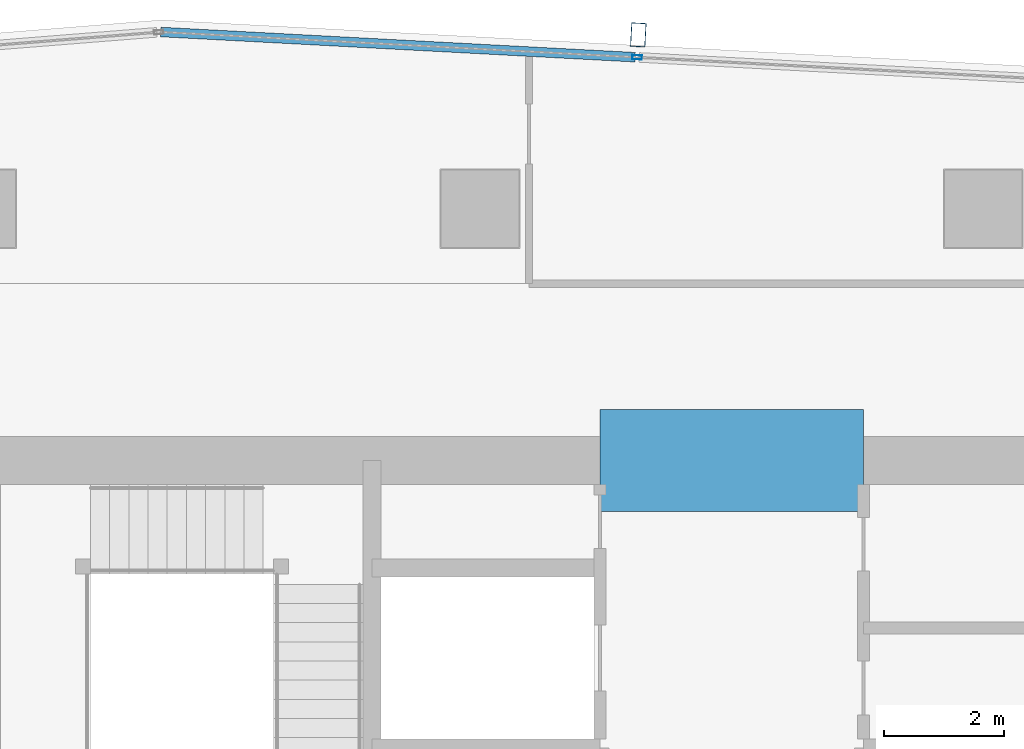
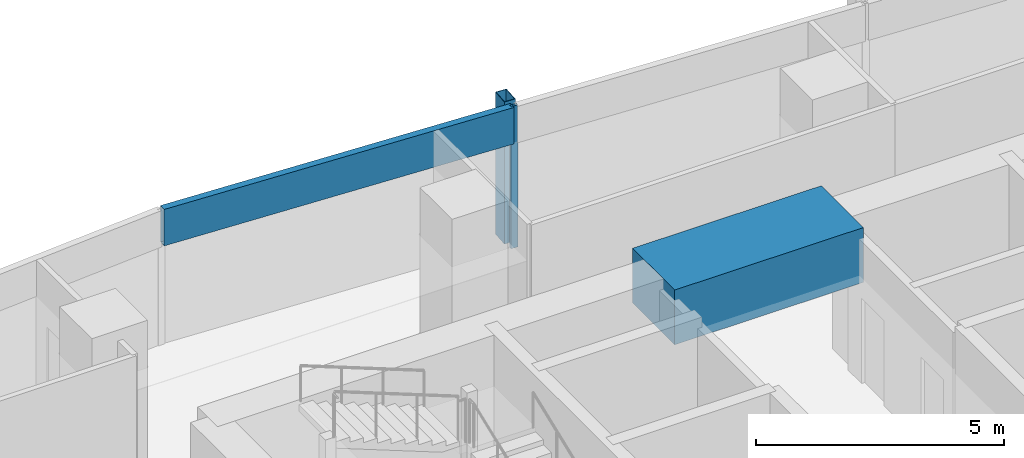
# One storey, part 14 of 26: 3 members, 1 beam, 1 element without a shape of its own.
"""IFC4 building model written with IfcOpenShell, lengths in metres."""

import ifcopenshell
import ifcopenshell.guid

model = None  # the IFC model being written
_history = None  # IfcOwnerHistory: only IFC2X3 demands one
_inside = {}  # id of a spatial element -> (the spatial element, [elements in it])
_under = {}  # id of a project, library or spatial element -> (it, [spatial elements below it])
_declared = {}  # id of a project -> (the project, [libraries it declares])
_typed = {}  # id of a type object -> (the type object, [elements of that type])
_made_of = {}  # id of a material, layer set ... -> (it, [elements and type objects made of it])


def new_model(schema):
    """Start an empty IFC model of exactly this schema.

    Asked for "IFC4X3", IfcOpenShell would pick the latest addendum, in which some entities
    have other attributes; the version numbers below select the first issue.
    IFC2X3 requires an IfcOwnerHistory on every rooted entity: one is made here for all.
    """
    global model, _history
    if schema == "IFC4X3":
        model = ifcopenshell.file(schema_version=(4, 3, 0, 0))
    else:
        model = ifcopenshell.file(schema=schema)
    _inside.clear()
    _under.clear()
    _declared.clear()
    _typed.clear()
    _made_of.clear()
    _history = None
    if model.schema == "IFC2X3":
        org = make("IfcOrganization", Name="unknown")
        user = make(
            "IfcPersonAndOrganization",
            ThePerson=make("IfcPerson", FamilyName="unknown"),
            TheOrganization=org,
        )
        app = make(
            "IfcApplication",
            ApplicationDeveloper=org,
            Version="unknown",
            ApplicationFullName="unknown",
            ApplicationIdentifier="unknown",
        )
        _history = make(
            "IfcOwnerHistory",
            OwningUser=user,
            OwningApplication=app,
            ChangeAction="ADDED",
            CreationDate=0,
        )
    return model


def make(cls, **values):
    """One entity of the class cls with the attributes given. An attribute that is None is left unset."""
    return model.create_entity(
        cls, **{name: value for name, value in values.items() if value is not None}
    )


def rooted(cls, **values):
    """An entity with a GlobalId (a new one), such as an element, a storey or a relation."""
    return make(cls, GlobalId=ifcopenshell.guid.new(), OwnerHistory=_history, **values)


def si_unit(unit_type, name, prefix=None):
    """IfcSIUnit, for example si_unit("LENGTHUNIT", "METRE", prefix="MILLI")."""
    return make("IfcSIUnit", UnitType=unit_type, Prefix=prefix, Name=name)


def assignment(units):
    """IfcUnitAssignment: the units of a project."""
    return None if units is None else make("IfcUnitAssignment", Units=units)


def point(xyz):
    """IfcCartesianPoint."""
    return None if xyz is None else make("IfcCartesianPoint", Coordinates=xyz)


def direction(xyz):
    """IfcDirection."""
    return None if xyz is None else make("IfcDirection", DirectionRatios=xyz)


def frame(location, z_axis=None, x_axis=None):
    """IfcAxis2Placement3D, a coordinate frame: its origin and axes. An axis left out is left unset."""
    return make(
        "IfcAxis2Placement3D",
        Location=point(location),
        Axis=direction(z_axis),
        RefDirection=direction(x_axis),
    )


def frame_2d(location, x_axis=None):
    """IfcAxis2Placement2D, a coordinate frame in the plane: its origin and x axis."""
    return make(
        "IfcAxis2Placement2D", Location=point(location), RefDirection=direction(x_axis)
    )


def origin():
    """The frame at (0, 0, 0) with its axes left unset."""
    return frame((0.0, 0.0, 0.0))


def origin_2d():
    """The frame at (0, 0) in the plane with its x axis left unset."""
    return frame_2d((0.0, 0.0))


def place(relative_to, where):
    """IfcLocalPlacement: puts the frame where relative to a parent placement (None: the world)."""
    return make(
        "IfcLocalPlacement", PlacementRelTo=relative_to, RelativePlacement=where
    )


def context(
    kind, dimensions, precision=None, world=None, true_north=None, identifier=None
):
    """IfcGeometricRepresentationContext, for example the 3D "Model" context."""
    return make(
        "IfcGeometricRepresentationContext",
        ContextIdentifier=identifier,
        ContextType=kind,
        CoordinateSpaceDimension=dimensions,
        Precision=precision,
        WorldCoordinateSystem=world,
        TrueNorth=true_north,
    )


def subcontext(parent, identifier, kind, view, scale=None):
    """IfcGeometricRepresentationSubContext, for example "Body" below "Model"."""
    return make(
        "IfcGeometricRepresentationSubContext",
        ContextIdentifier=identifier,
        ContextType=kind,
        ParentContext=parent,
        TargetScale=scale,
        TargetView=view,
    )


def project(units=None, contexts=None):
    """IfcProject with its units and contexts."""
    return rooted(
        "IfcProject",
        Name="project",
        RepresentationContexts=contexts,
        UnitsInContext=assignment(units),
    )


def spatial(cls, under=None, at=None, **own):
    """A site, building, storey or space (cls), placed at a placement, below another one or the project."""
    s = rooted(cls, ObjectPlacement=at, **own)
    if under is not None:
        _under.setdefault(under.id(), (under, []))[1].append(s)
    return s


def profile(cls, at=None, kind="AREA", **sizes):
    """A parametric profile (cls). Its sizes go by their IFC names, for example OverallWidth=200.0."""
    return make(cls, ProfileType=kind, Position=at, **sizes)


def rectangle(**sizes):
    """IfcRectangleProfileDef."""
    return profile("IfcRectangleProfileDef", **sizes)


def hollow_rectangle(**sizes):
    """IfcRectangleHollowProfileDef."""
    return profile("IfcRectangleHollowProfileDef", **sizes)


def extrude(swept, where, along, depth):
    """IfcExtrudedAreaSolid: the profile swept, set in the frame where, extruded along a direction by depth."""
    return make(
        "IfcExtrudedAreaSolid",
        SweptArea=swept,
        Position=where,
        ExtrudedDirection=direction(along),
        Depth=depth,
    )


def shape(context_of_items, identifier, shape_type, items):
    """IfcShapeRepresentation: the items that make up one representation, for example the "Body"."""
    return make(
        "IfcShapeRepresentation",
        ContextOfItems=context_of_items,
        RepresentationIdentifier=identifier,
        RepresentationType=shape_type,
        Items=items,
    )


def material(Name=None, Category=None):
    """IfcMaterial."""
    return make("IfcMaterial", Name=Name, Category=Category)


def material_profile(
    of_material, cross_section, Name=None, Category=None, Priority=None
):
    """IfcMaterialProfile: a cross section and its material."""
    return make(
        "IfcMaterialProfile",
        Name=Name,
        Material=of_material,
        Profile=cross_section,
        Priority=Priority,
        Category=Category,
    )


def profile_set(profiles, Name=None, composite=None):
    """IfcMaterialProfileSet."""
    return make(
        "IfcMaterialProfileSet",
        Name=Name,
        MaterialProfiles=profiles,
        CompositeProfile=composite,
    )


def made_of(thing, what):
    """Note that an element or type object is made of a material, layer set ...; save() writes the relation."""
    if what is not None:
        _made_of.setdefault(what.id(), (what, []))[1].append(thing)
    return thing


def type_object(cls, material=None, **own):
    """A type object (cls), such as IfcWallType, which elements share."""
    return made_of(rooted(cls, **own), material)


def element(
    cls,
    number,
    at=None,
    inside=None,
    cuts=None,
    type_object=None,
    material=None,
    context=None,
    identifier="Body",
    shape_type=None,
    held_by="IfcProductDefinitionShape",
    body=None,
    shapes=None,
    **own,
):
    """One element of the class cls, such as IfcWall. Its Tag is "e" and its number.

    at: its placement. inside: the storey or other place that contains it. cuts: it is an
    opening in that element (IfcRelVoidsElement). A single representation is given by context,
    identifier, shape_type and body (its items); several are given by shapes. held_by: the class
    of the entity that holds the representations. save() writes the other relations.
    """
    e = rooted(cls, Tag="e%d" % number, ObjectPlacement=at, **own)
    if body is not None:
        shapes = [shape(context, identifier, shape_type, body)]
    if shapes is not None:
        e.Representation = make(held_by, Representations=shapes)
    if inside is not None:
        _inside.setdefault(inside.id(), (inside, []))[1].append(e)
    if cuts is not None:
        rooted(
            "IfcRelVoidsElement", RelatingBuildingElement=cuts, RelatedOpeningElement=e
        )
    if type_object is not None:
        _typed.setdefault(type_object.id(), (type_object, []))[1].append(e)
    return made_of(e, material)


def aggregate(whole, parts):
    """IfcRelAggregates: a whole, such as a stair, and the parts it consists of."""
    return rooted("IfcRelAggregates", RelatingObject=whole, RelatedObjects=parts)


def save(model, path):
    """Write the relations noted so far, then the file.

    IfcRelAggregates (storeys below a building ...), IfcRelContainedInSpatialStructure (elements
    in a storey), IfcRelDefinesByType, IfcRelAssociatesMaterial and IfcRelDeclares: one each for
    every whole, place, type object, material and project.
    """
    for whole, parts in _under.values():
        aggregate(whole, parts)
    for where, things in _inside.values():
        rooted(
            "IfcRelContainedInSpatialStructure",
            RelatedElements=things,
            RelatingStructure=where,
        )
    for kind, things in _typed.values():
        rooted("IfcRelDefinesByType", RelatedObjects=things, RelatingType=kind)
    for what, things in _made_of.values():
        rooted("IfcRelAssociatesMaterial", RelatedObjects=things, RelatingMaterial=what)
    for by, libraries in _declared.values():
        rooted("IfcRelDeclares", RelatingContext=by, RelatedDefinitions=libraries)
    model.write(path)


model = new_model("IFC4")

# Units and contexts
model_context = context("Model", 3, precision=1e-05, world=origin(), true_north=direction((0.0, 1.0)))
body_context = subcontext(model_context, "Body", "Model", "MODEL_VIEW")
ifc_project = project(units=[si_unit("LENGTHUNIT", "METRE"), si_unit("AREAUNIT", "SQUARE_METRE"), si_unit("VOLUMEUNIT", "CUBIC_METRE"), si_unit("PLANEANGLEUNIT", "RADIAN"), si_unit("MASSUNIT", "GRAM", prefix="KILO")], contexts=[model_context])

# Site, building, storey
site_placement = place(None, origin())
site = spatial("IfcSite", under=ifc_project, at=site_placement, CompositionType="ELEMENT")
building_placement = place(site_placement, origin())
building = spatial("IfcBuilding", under=site, at=building_placement, Name="Rekha Terrace Tower", CompositionType="ELEMENT")
storey_placement = place(building_placement, frame((0.0, 0.0, 283.85009765625)))
storey = spatial("IfcBuildingStorey", under=building, at=storey_placement, Name="L72", CompositionType="ELEMENT", Elevation=283.85009765625)

# Curtain wall, members
ifc_material_1 = material(Name="Aluminium framing", Category="aluminium")
curtain_wall_type = type_object("IfcCurtainWallType", Name="CW3 north unitised glazing", PredefinedType="USERDEFINED", material=ifc_material_1)
curtain_wall_placement = place(storey_placement, origin())
curtain_wall = element("IfcCurtainWall", 1, at=curtain_wall_placement, inside=storey, type_object=curtain_wall_type, Name="CW3 unitised curtain wall", ObjectType="UNITISED CURTAIN WALL", PredefinedType="USERDEFINED")
ifc_material_2 = material(Name="Steel S355 with fluorocarbon finish", Category="steel")
ifc_material_profile_1 = material_profile(ifc_material_2, hollow_rectangle(XDim=0.25, YDim=0.39990234375, WallThickness=0.012451171875, at=origin_2d()), Name="RHS400x250x12.5")
ifc_profile_set_1 = profile_set([ifc_material_profile_1], Name="Steel S355 with fluorocarbon finish")
member_type_1 = type_object("IfcMemberType", Name="BL1 facade blade RHS 400 x 250", PredefinedType="USERDEFINED", material=ifc_profile_set_1)
member_1_placement = place(storey_placement, frame((36.24267578125, 53.301513671875, 0.0), z_axis=(0.0, 0.0, 1.0), x_axis=(-0.998590068481, 0.053083661621, 0.0)))
member_1 = element("IfcMember", 2, at=member_1_placement, type_object=member_type_1, Name="Facade blade", ObjectType="FACADE BLADE", PredefinedType="USERDEFINED", context=body_context, shape_type="SweptSolid", body=[
    extrude(hollow_rectangle(XDim=0.25, YDim=0.39990234375, WallThickness=0.012451171875, at=origin_2d()), origin(), (0.0, 0.0, 1.0), 3.5),
])
ifc_material_3 = material(Name="Aluminium mullion section", Category="aluminium")
ifc_material_profile_2 = material_profile(ifc_material_3, hollow_rectangle(XDim=0.070068359375, YDim=0.159912109375, WallThickness=0.00390625, at=origin_2d()), Name="AL RHS 70x160")
ifc_profile_set_2 = profile_set([ifc_material_profile_2], Name="Aluminium mullion section")
member_type_2 = type_object("IfcMemberType", Name="CW3 mullion RHS 70 x 160", PredefinedType="MULLION", material=ifc_profile_set_2)
member_2_placement = place(storey_placement, frame((36.22265625, 52.927001953125, 0.0), z_axis=(0.0, 0.0, 1.0), x_axis=(-0.053083275524, -0.998590089005, 0.0)))
member_2 = element("IfcMember", 3, at=member_2_placement, type_object=member_type_2, Name="CW3 mullion 4", PredefinedType="MULLION", context=body_context, shape_type="SweptSolid", body=[
    extrude(hollow_rectangle(XDim=0.070068359375, YDim=0.159912109375, WallThickness=0.00390625, at=origin_2d()), origin(), (0.0, 0.0, 1.0), 3.5),
])
ifc_material_4 = material(Name="Insulated aluminium spandrel box", Category="aluminium")
ifc_material_profile_3 = material_profile(ifc_material_4, hollow_rectangle(XDim=0.159912109375, YDim=0.89990234375, WallThickness=0.0029296875, at=origin_2d()), Name="AL SPANDREL BOX 160x900")
ifc_profile_set_3 = profile_set([ifc_material_profile_3], Name="Insulated aluminium spandrel box")
member_type_3 = type_object("IfcMemberType", Name="CW3 spandrel transom 160 x 900", PredefinedType="USERDEFINED", material=ifc_profile_set_3)
member_3_placement = place(storey_placement, frame((36.187744140625, 52.9287109375, 3.0498046875), z_axis=(-0.998589092231, 0.053102023288, 0.0), x_axis=(-0.053102023288, -0.998589092231, 0.0)))
member_3 = element("IfcMember", 4, at=member_3_placement, type_object=member_type_3, Name="CW3 spandrel transom 4", ObjectType="TRANSOM", PredefinedType="USERDEFINED", context=body_context, shape_type="SweptSolid", body=[
    extrude(hollow_rectangle(XDim=0.159912109375, YDim=0.89990234375, WallThickness=0.0029296875, at=origin_2d()), origin(), (0.0, 0.0, 1.0), 7.92626953125),
])
aggregate(curtain_wall, [member_2, member_3, member_1])

# Beam
ifc_material_5 = material(Name="Concrete M60", Category="concrete")
ifc_material_profile_4 = material_profile(ifc_material_5, rectangle(XDim=1.699951171875, YDim=1.35009765625, at=origin_2d()), Name="RC 1700x1350")
ifc_profile_set_4 = profile_set([ifc_material_profile_4], Name="Concrete M60")
beam_type = type_object("IfcBeamType", Name="LB5A 1700x1350 diagonally reinforced coupling beam", PredefinedType="LINTEL", material=ifc_profile_set_4)
beam_placement = place(storey_placement, frame((35.60009765625, 46.199951171875, 3.074951171875), z_axis=(1.0, 0.0, 0.0), x_axis=(0.0, 1.0, 0.0)))
element("IfcBeam", 5, at=beam_placement, inside=storey, type_object=beam_type, Name="Coupling beam LB5A N L72", PredefinedType="LINTEL", context=body_context, shape_type="SweptSolid", body=[
    extrude(rectangle(XDim=1.699951171875, YDim=1.35009765625, at=origin_2d()), origin(), (0.0, 0.0, 1.0), 4.39990234375),
])

save(model, "model.ifc")
